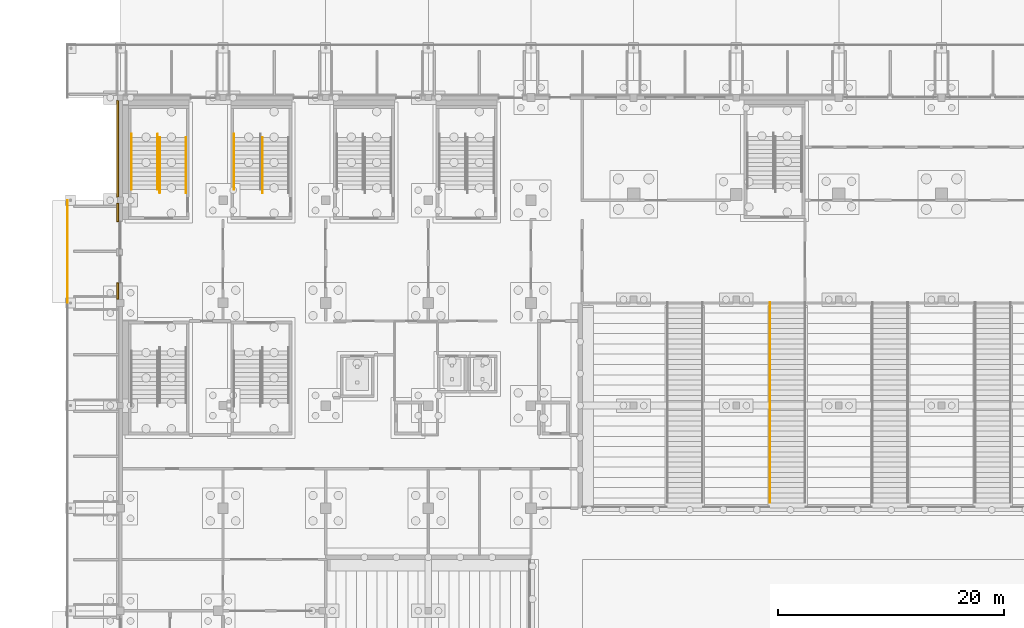
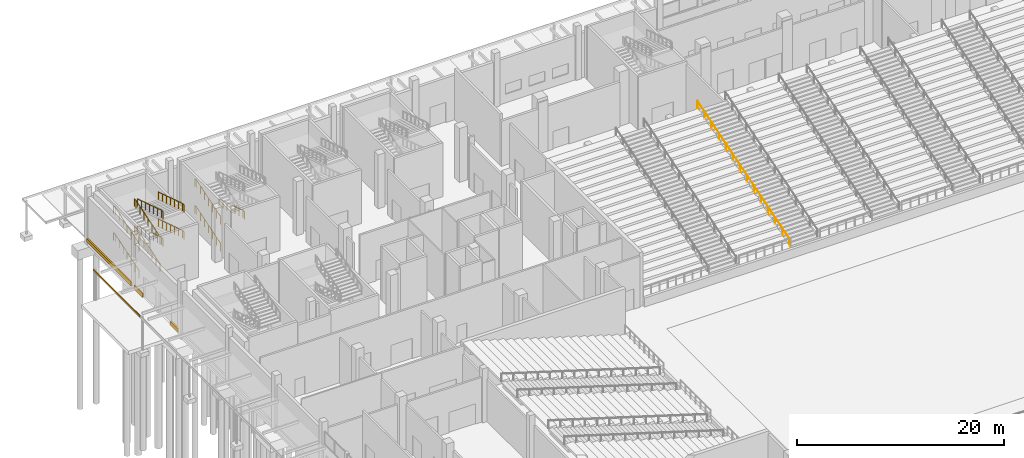
# One storey, part 110 of 129: 12 railings, 4 coverings.
"""IFC4 building model written with IfcOpenShell, lengths in metres."""

from ifc_helpers import new_model, si_unit, direction, frame, origin, origin_2d, place, context, subcontext, project, spatial, rectangle, circle, extrude, material, layer, layer_set, type_object, element, save


model = new_model("IFC4")

# Units and contexts
model_context = context("Model", 3, precision=1e-05, world=origin(), true_north=direction((0.0, 1.0)))
body_context = subcontext(model_context, "Body", "Model", "MODEL_VIEW")
ifc_project = project(units=[si_unit("LENGTHUNIT", "METRE"), si_unit("AREAUNIT", "SQUARE_METRE"), si_unit("VOLUMEUNIT", "CUBIC_METRE"), si_unit("PLANEANGLEUNIT", "RADIAN"), si_unit("MASSUNIT", "GRAM", prefix="KILO")], contexts=[model_context])

# Site, building, storey
site_placement = place(None, origin())
site = spatial("IfcSite", under=ifc_project, at=site_placement, CompositionType="ELEMENT")
building_placement = place(site_placement, origin())
building = spatial("IfcBuilding", under=site, at=building_placement, Name="Shirokan Park Arena", CompositionType="ELEMENT")
storey_placement = place(building_placement, origin())
storey = spatial("IfcBuildingStorey", under=building, at=storey_placement, Name="L00", CompositionType="ELEMENT", Elevation=0.0)

# Railing
ifc_material_1 = material(Name="Stainless steel", Category="steel")
railing_type_1 = type_object("IfcRailingType", Name="Aisle handrail 900", PredefinedType="HANDRAIL", material=ifc_material_1)
railing_1_placement = place(storey_placement, frame((57.590087890625, 73.304931640625, 0.909912109375)))
element("IfcRailing", 1, at=railing_1_placement, inside=storey, type_object=railing_type_1, Name="Handrail vomitory stair N2 lower", PredefinedType="HANDRAIL", context=body_context, shape_type="SweptSolid", body=[
    extrude(circle(Radius=0.02490234375, at=origin_2d()), frame((0.0, 0.0, 0.89013671875), z_axis=(0.0, 0.955745737905, 0.294193957241), x_axis=(-1.0, 0.0, 0.0)), (0.0, 0.0, 1.0), 1.42822265625),
    extrude(circle(Radius=0.02490234375, at=origin_2d()), frame((0.0, 1.364990234375, 1.310546875), z_axis=(0.0, 0.95579379257, 0.294037797035), x_axis=(-1.0, 0.0, 0.0)), (0.0, 0.0, 1.0), 1.42822265625),
    extrude(circle(Radius=0.02490234375, at=origin_2d()), frame((0.0, 2.72998046875, 1.73046875), z_axis=(0.0, 0.95579379257, 0.294037797035), x_axis=(-1.0, 0.0, 0.0)), (0.0, 0.0, 1.0), 1.42822265625),
    extrude(circle(Radius=0.02490234375, at=origin_2d()), frame((0.0, 4.094970703125, 2.150390625), z_axis=(0.0, 0.955745737905, 0.294193957241), x_axis=(-1.0, 0.0, 0.0)), (0.0, 0.0, 1.0), 1.42822265625),
    extrude(circle(Radius=0.02490234375, at=origin_2d()), frame((0.0, 5.4599609375, 2.5703125), z_axis=(0.0, 0.95579379257, 0.294037797035), x_axis=(-1.0, 0.0, 0.0)), (0.0, 0.0, 1.0), 1.42822265625),
    extrude(circle(Radius=0.02490234375, at=origin_2d()), frame((0.0, 6.824951171875, 2.990234375), z_axis=(0.0, 0.955808569173, 0.293989760189), x_axis=(-1.0, 0.0, 0.0)), (0.0, 0.0, 1.0), 1.428466796875),
    extrude(circle(Radius=0.02490234375, at=origin_2d()), frame((0.0, 8.190185546875, 3.41015625), z_axis=(0.0, 0.955745737905, 0.294193957241), x_axis=(-1.0, 0.0, 0.0)), (0.0, 0.0, 1.0), 1.42822265625),
    extrude(circle(Radius=0.02490234375, at=origin_2d()), frame((0.0, 9.55517578125, 3.83056640625), z_axis=(0.0, 0.95579379257, 0.294037797035), x_axis=(-1.0, 0.0, 0.0)), (0.0, 0.0, 1.0), 1.42822265625),
    extrude(circle(Radius=0.02490234375, at=origin_2d()), frame((0.0, 10.920166015625, 4.25048828125), z_axis=(0.0, 0.95579379257, 0.294037797035), x_axis=(-1.0, 0.0, 0.0)), (0.0, 0.0, 1.0), 1.42822265625),
    extrude(circle(Radius=0.02490234375, at=origin_2d()), frame((0.0, 12.28515625, 4.67041015625), z_axis=(0.0, 0.955745737905, 0.294193957241), x_axis=(-1.0, 0.0, 0.0)), (0.0, 0.0, 1.0), 1.42822265625),
    extrude(circle(Radius=0.02490234375, at=origin_2d()), frame((0.0, 13.650146484375, 5.09033203125), z_axis=(0.0, 0.95579379257, 0.294037797035), x_axis=(-1.0, 0.0, 0.0)), (0.0, 0.0, 1.0), 1.42822265625),
    extrude(circle(Radius=0.02490234375, at=origin_2d()), frame((0.0, 15.01513671875, 5.51025390625), z_axis=(0.0, 0.95579379257, 0.294037797035), x_axis=(-1.0, 0.0, 0.0)), (0.0, 0.0, 1.0), 1.42822265625),
    extrude(circle(Radius=0.02490234375, at=origin_2d()), frame((0.0, 16.380126953125, 5.93017578125), z_axis=(0.0, 0.955745737905, 0.294193957241), x_axis=(-1.0, 0.0, 0.0)), (0.0, 0.0, 1.0), 1.42822265625),
    extrude(circle(Radius=0.02490234375, at=origin_2d()), origin(), (0.0, 0.0, 1.0), 0.865234375),
    extrude(circle(Radius=0.02490234375, at=origin_2d()), frame((0.0, 1.364990234375, 0.420166015625)), (0.0, 0.0, 1.0), 0.865234375),
    extrude(circle(Radius=0.02490234375, at=origin_2d()), frame((0.0, 2.72998046875, 0.840087890625)), (0.0, 0.0, 1.0), 0.865234375),
    extrude(circle(Radius=0.02490234375, at=origin_2d()), frame((0.0, 4.094970703125, 1.260009765625)), (0.0, 0.0, 1.0), 0.865234375),
    extrude(circle(Radius=0.02490234375, at=origin_2d()), frame((0.0, 5.4599609375, 1.68017578125)), (0.0, 0.0, 1.0), 0.865234375),
    extrude(circle(Radius=0.02490234375, at=origin_2d()), frame((0.0, 6.824951171875, 2.10009765625)), (0.0, 0.0, 1.0), 0.865234375),
    extrude(circle(Radius=0.02490234375, at=origin_2d()), frame((0.0, 8.190185546875, 2.52001953125)), (0.0, 0.0, 1.0), 0.865234375),
    extrude(circle(Radius=0.02490234375, at=origin_2d()), frame((0.0, 9.55517578125, 2.940185546875)), (0.0, 0.0, 1.0), 0.865234375),
    extrude(circle(Radius=0.02490234375, at=origin_2d()), frame((0.0, 10.920166015625, 3.360107421875)), (0.0, 0.0, 1.0), 0.865234375),
    extrude(circle(Radius=0.02490234375, at=origin_2d()), frame((0.0, 12.28515625, 3.780029296875)), (0.0, 0.0, 1.0), 0.865234375),
    extrude(circle(Radius=0.02490234375, at=origin_2d()), frame((0.0, 13.650146484375, 4.2001953125)), (0.0, 0.0, 1.0), 0.865234375),
    extrude(circle(Radius=0.02490234375, at=origin_2d()), frame((0.0, 15.01513671875, 4.6201171875)), (0.0, 0.0, 1.0), 0.865234375),
    extrude(circle(Radius=0.02490234375, at=origin_2d()), frame((0.0, 16.380126953125, 5.0400390625)), (0.0, 0.0, 1.0), 0.865234375),
    extrude(circle(Radius=0.02490234375, at=origin_2d()), frame((0.0, 17.7451171875, 5.460205078125)), (0.0, 0.0, 1.0), 0.865234375),
])

# Covering
ifc_material_2 = material(Name="Timber fascia (cedar)", Category="wood")
ifc_layer_1 = layer(ifc_material_2, 0.050048828125)
ifc_layer_set_1 = layer_set([ifc_layer_1], Name="Timber fascia (cedar) 50 mm")
covering_type_1 = type_object("IfcCoveringType", Name="Canopy fascia 50x250", PredefinedType="CLADDING", material=ifc_layer_set_1)
covering_1_placement = place(storey_placement, frame((-4.675048828125, 95.550048828125, 3.5), z_axis=(0.0, 0.0, 1.0), x_axis=(0.0, -1.0, 0.0)))
element("IfcCovering", 2, at=covering_1_placement, inside=storey, type_object=covering_type_1, Name="Canopy fascia west bay 2", PredefinedType="CLADDING", context=body_context, shape_type="SweptSolid", body=[
    extrude(rectangle(XDim=9.10009765625, YDim=0.050048828125, at=origin_2d()), origin(), (0.0, 0.0, 1.0), 0.25),
])

# Railings
railing_type_2 = type_object("IfcRailingType", Name="Stair handrail 900", PredefinedType="HANDRAIL", material=ifc_material_1)
railing_2_placement = place(storey_placement, frame((0.989990234375, 101.050048828125, 0.12255859375)))
element("IfcRailing", 3, at=railing_2_placement, inside=storey, type_object=railing_type_2, Name="Handrail Exit Stair 4.A L00 to L01", PredefinedType="HANDRAIL", context=body_context, shape_type="SweptSolid", body=[
    extrude(circle(Radius=0.02392578125, at=origin_2d()), frame((0.0, 0.0, 0.8759765625), z_axis=(0.0, 0.952929747917, 0.303191186441), x_axis=(-1.0, 0.0, 0.0)), (0.0, 0.0, 1.0), 1.6162109375),
    extrude(circle(Radius=0.02392578125, at=origin_2d()), frame((0.0, 1.5400390625, 1.36572265625), z_axis=(0.0, 0.952915858112, 0.303234838629), x_axis=(-1.0, 0.0, 0.0)), (0.0, 0.0, 1.0), 1.615966796875),
    extrude(circle(Radius=0.02392578125, at=origin_2d()), frame((0.0, 3.079833984375, 1.85595703125), z_axis=(0.0, 0.952929747917, 0.303191186441), x_axis=(-1.0, 0.0, 0.0)), (0.0, 0.0, 1.0), 1.6162109375),
    extrude(circle(Radius=0.02392578125, at=origin_2d()), frame((0.0, 4.619873046875, 2.345703125), z_axis=(0.0, 1.0, 0.0), x_axis=(-1.0, 0.0, 0.0)), (0.0, 0.0, 1.0), 0.300048828125),
    extrude(circle(Radius=0.02099609375, at=origin_2d()), origin(), (0.0, 0.0, 1.0), 0.851806640625),
    extrude(circle(Radius=0.02099609375, at=origin_2d()), frame((0.0, 0.77001953125, 0.2451171875)), (0.0, 0.0, 1.0), 0.851806640625),
    extrude(circle(Radius=0.02099609375, at=origin_2d()), frame((0.0, 1.5400390625, 0.489990234375)), (0.0, 0.0, 1.0), 0.851806640625),
    extrude(circle(Radius=0.02099609375, at=origin_2d()), frame((0.0, 2.31005859375, 0.73486328125)), (0.0, 0.0, 1.0), 0.851806640625),
    extrude(circle(Radius=0.02099609375, at=origin_2d()), frame((0.0, 3.079833984375, 0.97998046875)), (0.0, 0.0, 1.0), 0.851806640625),
    extrude(circle(Radius=0.02099609375, at=origin_2d()), frame((0.0, 3.849853515625, 1.22509765625)), (0.0, 0.0, 1.0), 0.851806640625),
    extrude(circle(Radius=0.02099609375, at=origin_2d()), frame((0.0, 4.619873046875, 1.469970703125)), (0.0, 0.0, 1.0), 0.851806640625),
    extrude(circle(Radius=0.02099609375, at=origin_2d()), frame((0.0, 4.919921875, 1.469970703125)), (0.0, 0.0, 1.0), 0.851806640625),
])
railing_3_placement = place(storey_placement, frame((3.31005859375, 101.050048828125, 0.12255859375)))
element("IfcRailing", 4, at=railing_3_placement, inside=storey, type_object=railing_type_2, Name="Handrail Exit Stair 4.A L00 to L01", PredefinedType="HANDRAIL", context=body_context, shape_type="SweptSolid", body=[
    extrude(circle(Radius=0.02392578125, at=origin_2d()), frame((0.0, 0.0, 0.8759765625), z_axis=(0.0, 0.952929747917, 0.303191186441), x_axis=(-1.0, 0.0, 0.0)), (0.0, 0.0, 1.0), 1.6162109375),
    extrude(circle(Radius=0.02392578125, at=origin_2d()), frame((0.0, 1.5400390625, 1.36572265625), z_axis=(0.0, 0.952915858112, 0.303234838629), x_axis=(-1.0, 0.0, 0.0)), (0.0, 0.0, 1.0), 1.615966796875),
    extrude(circle(Radius=0.02392578125, at=origin_2d()), frame((0.0, 3.079833984375, 1.85595703125), z_axis=(0.0, 0.952929747917, 0.303191186441), x_axis=(-1.0, 0.0, 0.0)), (0.0, 0.0, 1.0), 1.6162109375),
    extrude(circle(Radius=0.02392578125, at=origin_2d()), frame((0.0, 4.619873046875, 2.345703125), z_axis=(0.0, 1.0, 0.0), x_axis=(-1.0, 0.0, 0.0)), (0.0, 0.0, 1.0), 0.300048828125),
    extrude(circle(Radius=0.02099609375, at=origin_2d()), origin(), (0.0, 0.0, 1.0), 0.851806640625),
    extrude(circle(Radius=0.02099609375, at=origin_2d()), frame((0.0, 0.77001953125, 0.2451171875)), (0.0, 0.0, 1.0), 0.851806640625),
    extrude(circle(Radius=0.02099609375, at=origin_2d()), frame((0.0, 1.5400390625, 0.489990234375)), (0.0, 0.0, 1.0), 0.851806640625),
    extrude(circle(Radius=0.02099609375, at=origin_2d()), frame((0.0, 2.31005859375, 0.73486328125)), (0.0, 0.0, 1.0), 0.851806640625),
    extrude(circle(Radius=0.02099609375, at=origin_2d()), frame((0.0, 3.079833984375, 0.97998046875)), (0.0, 0.0, 1.0), 0.851806640625),
    extrude(circle(Radius=0.02099609375, at=origin_2d()), frame((0.0, 3.849853515625, 1.22509765625)), (0.0, 0.0, 1.0), 0.851806640625),
    extrude(circle(Radius=0.02099609375, at=origin_2d()), frame((0.0, 4.619873046875, 1.469970703125)), (0.0, 0.0, 1.0), 0.851806640625),
    extrude(circle(Radius=0.02099609375, at=origin_2d()), frame((0.0, 4.919921875, 1.469970703125)), (0.0, 0.0, 1.0), 0.851806640625),
])
railing_4_placement = place(storey_placement, frame((3.489990234375, 105.669921875, 1.715087890625)))
element("IfcRailing", 5, at=railing_4_placement, inside=storey, type_object=railing_type_2, Name="Handrail Exit Stair 4.A L00 to L01", PredefinedType="HANDRAIL", context=body_context, shape_type="SweptSolid", body=[
    extrude(circle(Radius=0.02392578125, at=origin_2d()), frame((0.0, 0.0, 0.8759765625), z_axis=(0.0, -0.952929747917, 0.303191186441), x_axis=(1.0, 0.0, 0.0)), (0.0, 0.0, 1.0), 1.6162109375),
    extrude(circle(Radius=0.02392578125, at=origin_2d()), frame((0.0, -1.5400390625, 1.36572265625), z_axis=(0.0, -0.952915858112, 0.303234838629), x_axis=(1.0, 0.0, 0.0)), (0.0, 0.0, 1.0), 1.615966796875),
    extrude(circle(Radius=0.02392578125, at=origin_2d()), frame((0.0, -3.079833984375, 1.85595703125), z_axis=(0.0, -0.952929747917, 0.303191186441), x_axis=(1.0, 0.0, 0.0)), (0.0, 0.0, 1.0), 1.6162109375),
    extrude(circle(Radius=0.02392578125, at=origin_2d()), frame((0.0, -4.619873046875, 2.345703125), z_axis=(0.0, -1.0, 0.0), x_axis=(1.0, 0.0, 0.0)), (0.0, 0.0, 1.0), 0.300048828125),
    extrude(circle(Radius=0.02099609375, at=origin_2d()), origin(), (0.0, 0.0, 1.0), 0.851806640625),
    extrude(circle(Radius=0.02099609375, at=origin_2d()), frame((0.0, -0.77001953125, 0.2451171875)), (0.0, 0.0, 1.0), 0.851806640625),
    extrude(circle(Radius=0.02099609375, at=origin_2d()), frame((0.0, -1.5400390625, 0.489990234375)), (0.0, 0.0, 1.0), 0.851806640625),
    extrude(circle(Radius=0.02099609375, at=origin_2d()), frame((0.0, -2.31005859375, 0.73486328125)), (0.0, 0.0, 1.0), 0.851806640625),
    extrude(circle(Radius=0.02099609375, at=origin_2d()), frame((0.0, -3.079833984375, 0.97998046875)), (0.0, 0.0, 1.0), 0.851806640625),
    extrude(circle(Radius=0.02099609375, at=origin_2d()), frame((0.0, -3.849853515625, 1.22509765625)), (0.0, 0.0, 1.0), 0.851806640625),
    extrude(circle(Radius=0.02099609375, at=origin_2d()), frame((0.0, -4.619873046875, 1.469970703125)), (0.0, 0.0, 1.0), 0.851806640625),
    extrude(circle(Radius=0.02099609375, at=origin_2d()), frame((0.0, -4.919921875, 1.469970703125)), (0.0, 0.0, 1.0), 0.851806640625),
])
railing_5_placement = place(storey_placement, frame((5.81005859375, 105.669921875, 1.715087890625)))
element("IfcRailing", 6, at=railing_5_placement, inside=storey, type_object=railing_type_2, Name="Handrail Exit Stair 4.A L00 to L01", PredefinedType="HANDRAIL", context=body_context, shape_type="SweptSolid", body=[
    extrude(circle(Radius=0.02392578125, at=origin_2d()), frame((0.0, 0.0, 0.8759765625), z_axis=(0.0, -0.952929747917, 0.303191186441), x_axis=(1.0, 0.0, 0.0)), (0.0, 0.0, 1.0), 1.6162109375),
    extrude(circle(Radius=0.02392578125, at=origin_2d()), frame((0.0, -1.5400390625, 1.36572265625), z_axis=(0.0, -0.952915858112, 0.303234838629), x_axis=(1.0, 0.0, 0.0)), (0.0, 0.0, 1.0), 1.615966796875),
    extrude(circle(Radius=0.02392578125, at=origin_2d()), frame((0.0, -3.079833984375, 1.85595703125), z_axis=(0.0, -0.952929747917, 0.303191186441), x_axis=(1.0, 0.0, 0.0)), (0.0, 0.0, 1.0), 1.6162109375),
    extrude(circle(Radius=0.02392578125, at=origin_2d()), frame((0.0, -4.619873046875, 2.345703125), z_axis=(0.0, -1.0, 0.0), x_axis=(1.0, 0.0, 0.0)), (0.0, 0.0, 1.0), 0.300048828125),
    extrude(circle(Radius=0.02099609375, at=origin_2d()), origin(), (0.0, 0.0, 1.0), 0.851806640625),
    extrude(circle(Radius=0.02099609375, at=origin_2d()), frame((0.0, -0.77001953125, 0.2451171875)), (0.0, 0.0, 1.0), 0.851806640625),
    extrude(circle(Radius=0.02099609375, at=origin_2d()), frame((0.0, -1.5400390625, 0.489990234375)), (0.0, 0.0, 1.0), 0.851806640625),
    extrude(circle(Radius=0.02099609375, at=origin_2d()), frame((0.0, -2.31005859375, 0.73486328125)), (0.0, 0.0, 1.0), 0.851806640625),
    extrude(circle(Radius=0.02099609375, at=origin_2d()), frame((0.0, -3.079833984375, 0.97998046875)), (0.0, 0.0, 1.0), 0.851806640625),
    extrude(circle(Radius=0.02099609375, at=origin_2d()), frame((0.0, -3.849853515625, 1.22509765625)), (0.0, 0.0, 1.0), 0.851806640625),
    extrude(circle(Radius=0.02099609375, at=origin_2d()), frame((0.0, -4.619873046875, 1.469970703125)), (0.0, 0.0, 1.0), 0.851806640625),
    extrude(circle(Radius=0.02099609375, at=origin_2d()), frame((0.0, -4.919921875, 1.469970703125)), (0.0, 0.0, 1.0), 0.851806640625),
])
railing_6_placement = place(storey_placement, frame((0.989990234375, 101.050048828125, 3.3076171875)))
element("IfcRailing", 7, at=railing_6_placement, inside=storey, type_object=railing_type_2, Name="Handrail Exit Stair 4.A L00 to L01", PredefinedType="HANDRAIL", context=body_context, shape_type="SweptSolid", body=[
    extrude(circle(Radius=0.02392578125, at=origin_2d()), frame((0.0, 0.0, 0.8759765625), z_axis=(0.0, 0.952929747917, 0.303191186441), x_axis=(-1.0, 0.0, 0.0)), (0.0, 0.0, 1.0), 1.6162109375),
    extrude(circle(Radius=0.02392578125, at=origin_2d()), frame((0.0, 1.5400390625, 1.36572265625), z_axis=(0.0, 0.952915858112, 0.303234838629), x_axis=(-1.0, 0.0, 0.0)), (0.0, 0.0, 1.0), 1.615966796875),
    extrude(circle(Radius=0.02392578125, at=origin_2d()), frame((0.0, 3.079833984375, 1.85595703125), z_axis=(0.0, 0.952929747917, 0.303191186441), x_axis=(-1.0, 0.0, 0.0)), (0.0, 0.0, 1.0), 1.6162109375),
    extrude(circle(Radius=0.02392578125, at=origin_2d()), frame((0.0, 4.619873046875, 2.345703125), z_axis=(0.0, 1.0, 0.0), x_axis=(-1.0, 0.0, 0.0)), (0.0, 0.0, 1.0), 0.300048828125),
    extrude(circle(Radius=0.02099609375, at=origin_2d()), origin(), (0.0, 0.0, 1.0), 0.851806640625),
    extrude(circle(Radius=0.02099609375, at=origin_2d()), frame((0.0, 0.77001953125, 0.2451171875)), (0.0, 0.0, 1.0), 0.851806640625),
    extrude(circle(Radius=0.02099609375, at=origin_2d()), frame((0.0, 1.5400390625, 0.489990234375)), (0.0, 0.0, 1.0), 0.851806640625),
    extrude(circle(Radius=0.02099609375, at=origin_2d()), frame((0.0, 2.31005859375, 0.73486328125)), (0.0, 0.0, 1.0), 0.851806640625),
    extrude(circle(Radius=0.02099609375, at=origin_2d()), frame((0.0, 3.079833984375, 0.97998046875)), (0.0, 0.0, 1.0), 0.851806640625),
    extrude(circle(Radius=0.02099609375, at=origin_2d()), frame((0.0, 3.849853515625, 1.22509765625)), (0.0, 0.0, 1.0), 0.851806640625),
    extrude(circle(Radius=0.02099609375, at=origin_2d()), frame((0.0, 4.619873046875, 1.469970703125)), (0.0, 0.0, 1.0), 0.851806640625),
    extrude(circle(Radius=0.02099609375, at=origin_2d()), frame((0.0, 4.919921875, 1.469970703125)), (0.0, 0.0, 1.0), 0.851806640625),
])
railing_7_placement = place(storey_placement, frame((3.31005859375, 101.050048828125, 3.3076171875)))
element("IfcRailing", 8, at=railing_7_placement, inside=storey, type_object=railing_type_2, Name="Handrail Exit Stair 4.A L00 to L01", PredefinedType="HANDRAIL", context=body_context, shape_type="SweptSolid", body=[
    extrude(circle(Radius=0.02392578125, at=origin_2d()), frame((0.0, 0.0, 0.8759765625), z_axis=(0.0, 0.952929747917, 0.303191186441), x_axis=(-1.0, 0.0, 0.0)), (0.0, 0.0, 1.0), 1.6162109375),
    extrude(circle(Radius=0.02392578125, at=origin_2d()), frame((0.0, 1.5400390625, 1.36572265625), z_axis=(0.0, 0.952915858112, 0.303234838629), x_axis=(-1.0, 0.0, 0.0)), (0.0, 0.0, 1.0), 1.615966796875),
    extrude(circle(Radius=0.02392578125, at=origin_2d()), frame((0.0, 3.079833984375, 1.85595703125), z_axis=(0.0, 0.952929747917, 0.303191186441), x_axis=(-1.0, 0.0, 0.0)), (0.0, 0.0, 1.0), 1.6162109375),
    extrude(circle(Radius=0.02392578125, at=origin_2d()), frame((0.0, 4.619873046875, 2.345703125), z_axis=(0.0, 1.0, 0.0), x_axis=(-1.0, 0.0, 0.0)), (0.0, 0.0, 1.0), 0.300048828125),
    extrude(circle(Radius=0.02099609375, at=origin_2d()), origin(), (0.0, 0.0, 1.0), 0.851806640625),
    extrude(circle(Radius=0.02099609375, at=origin_2d()), frame((0.0, 0.77001953125, 0.2451171875)), (0.0, 0.0, 1.0), 0.851806640625),
    extrude(circle(Radius=0.02099609375, at=origin_2d()), frame((0.0, 1.5400390625, 0.489990234375)), (0.0, 0.0, 1.0), 0.851806640625),
    extrude(circle(Radius=0.02099609375, at=origin_2d()), frame((0.0, 2.31005859375, 0.73486328125)), (0.0, 0.0, 1.0), 0.851806640625),
    extrude(circle(Radius=0.02099609375, at=origin_2d()), frame((0.0, 3.079833984375, 0.97998046875)), (0.0, 0.0, 1.0), 0.851806640625),
    extrude(circle(Radius=0.02099609375, at=origin_2d()), frame((0.0, 3.849853515625, 1.22509765625)), (0.0, 0.0, 1.0), 0.851806640625),
    extrude(circle(Radius=0.02099609375, at=origin_2d()), frame((0.0, 4.619873046875, 1.469970703125)), (0.0, 0.0, 1.0), 0.851806640625),
    extrude(circle(Radius=0.02099609375, at=origin_2d()), frame((0.0, 4.919921875, 1.469970703125)), (0.0, 0.0, 1.0), 0.851806640625),
])
railing_8_placement = place(storey_placement, frame((3.489990234375, 105.669921875, 4.89990234375)))
element("IfcRailing", 9, at=railing_8_placement, inside=storey, type_object=railing_type_2, Name="Handrail Exit Stair 4.A L00 to L01", PredefinedType="HANDRAIL", context=body_context, shape_type="SweptSolid", body=[
    extrude(circle(Radius=0.02392578125, at=origin_2d()), frame((0.0, 0.0, 0.8759765625), z_axis=(0.0, -0.952929747917, 0.303191186441), x_axis=(1.0, 0.0, 0.0)), (0.0, 0.0, 1.0), 1.6162109375),
    extrude(circle(Radius=0.02392578125, at=origin_2d()), frame((0.0, -1.5400390625, 1.36572265625), z_axis=(0.0, -0.952915858112, 0.303234838629), x_axis=(1.0, 0.0, 0.0)), (0.0, 0.0, 1.0), 1.615966796875),
    extrude(circle(Radius=0.02392578125, at=origin_2d()), frame((0.0, -3.079833984375, 1.85595703125), z_axis=(0.0, -0.952886093821, 0.303328357069), x_axis=(1.0, 0.0, 0.0)), (0.0, 0.0, 1.0), 1.6162109375),
    extrude(circle(Radius=0.02392578125, at=origin_2d()), frame((0.0, -4.619873046875, 2.34619140625), z_axis=(0.0, -1.0, 0.0), x_axis=(1.0, 0.0, 0.0)), (0.0, 0.0, 1.0), 0.300048828125),
    extrude(circle(Radius=0.02099609375, at=origin_2d()), origin(), (0.0, 0.0, 1.0), 0.851806640625),
    extrude(circle(Radius=0.02099609375, at=origin_2d()), frame((0.0, -0.77001953125, 0.2451171875)), (0.0, 0.0, 1.0), 0.851806640625),
    extrude(circle(Radius=0.02099609375, at=origin_2d()), frame((0.0, -1.5400390625, 0.489990234375)), (0.0, 0.0, 1.0), 0.851806640625),
    extrude(circle(Radius=0.02099609375, at=origin_2d()), frame((0.0, -2.31005859375, 0.73486328125)), (0.0, 0.0, 1.0), 0.851806640625),
    extrude(circle(Radius=0.02099609375, at=origin_2d()), frame((0.0, -3.079833984375, 0.97998046875)), (0.0, 0.0, 1.0), 0.851806640625),
    extrude(circle(Radius=0.02099609375, at=origin_2d()), frame((0.0, -3.849853515625, 1.22509765625)), (0.0, 0.0, 1.0), 0.851806640625),
    extrude(circle(Radius=0.02099609375, at=origin_2d()), frame((0.0, -4.619873046875, 1.47021484375)), (0.0, 0.0, 1.0), 0.851806640625),
    extrude(circle(Radius=0.02099609375, at=origin_2d()), frame((0.0, -4.919921875, 1.47021484375)), (0.0, 0.0, 1.0), 0.851806640625),
])
railing_9_placement = place(storey_placement, frame((5.81005859375, 105.669921875, 4.89990234375)))
element("IfcRailing", 10, at=railing_9_placement, inside=storey, type_object=railing_type_2, Name="Handrail Exit Stair 4.A L00 to L01", PredefinedType="HANDRAIL", context=body_context, shape_type="SweptSolid", body=[
    extrude(circle(Radius=0.02392578125, at=origin_2d()), frame((0.0, 0.0, 0.8759765625), z_axis=(0.0, -0.952929747917, 0.303191186441), x_axis=(1.0, 0.0, 0.0)), (0.0, 0.0, 1.0), 1.6162109375),
    extrude(circle(Radius=0.02392578125, at=origin_2d()), frame((0.0, -1.5400390625, 1.36572265625), z_axis=(0.0, -0.952915858112, 0.303234838629), x_axis=(1.0, 0.0, 0.0)), (0.0, 0.0, 1.0), 1.615966796875),
    extrude(circle(Radius=0.02392578125, at=origin_2d()), frame((0.0, -3.079833984375, 1.85595703125), z_axis=(0.0, -0.952886093821, 0.303328357069), x_axis=(1.0, 0.0, 0.0)), (0.0, 0.0, 1.0), 1.6162109375),
    extrude(circle(Radius=0.02392578125, at=origin_2d()), frame((0.0, -4.619873046875, 2.34619140625), z_axis=(0.0, -1.0, 0.0), x_axis=(1.0, 0.0, 0.0)), (0.0, 0.0, 1.0), 0.300048828125),
    extrude(circle(Radius=0.02099609375, at=origin_2d()), origin(), (0.0, 0.0, 1.0), 0.851806640625),
    extrude(circle(Radius=0.02099609375, at=origin_2d()), frame((0.0, -0.77001953125, 0.2451171875)), (0.0, 0.0, 1.0), 0.851806640625),
    extrude(circle(Radius=0.02099609375, at=origin_2d()), frame((0.0, -1.5400390625, 0.489990234375)), (0.0, 0.0, 1.0), 0.851806640625),
    extrude(circle(Radius=0.02099609375, at=origin_2d()), frame((0.0, -2.31005859375, 0.73486328125)), (0.0, 0.0, 1.0), 0.851806640625),
    extrude(circle(Radius=0.02099609375, at=origin_2d()), frame((0.0, -3.079833984375, 0.97998046875)), (0.0, 0.0, 1.0), 0.851806640625),
    extrude(circle(Radius=0.02099609375, at=origin_2d()), frame((0.0, -3.849853515625, 1.22509765625)), (0.0, 0.0, 1.0), 0.851806640625),
    extrude(circle(Radius=0.02099609375, at=origin_2d()), frame((0.0, -4.619873046875, 1.47021484375)), (0.0, 0.0, 1.0), 0.851806640625),
    extrude(circle(Radius=0.02099609375, at=origin_2d()), frame((0.0, -4.919921875, 1.47021484375)), (0.0, 0.0, 1.0), 0.851806640625),
])
railing_10_placement = place(storey_placement, frame((10.090087890625, 101.050048828125, 0.12255859375)))
element("IfcRailing", 11, at=railing_10_placement, inside=storey, type_object=railing_type_2, Name="Handrail Exit Stair 4.B L00 to L01", PredefinedType="HANDRAIL", context=body_context, shape_type="SweptSolid", body=[
    extrude(circle(Radius=0.02392578125, at=origin_2d()), frame((0.0, 0.0, 0.8759765625), z_axis=(0.0, 0.952929747917, 0.303191186441), x_axis=(-1.0, 0.0, 0.0)), (0.0, 0.0, 1.0), 1.6162109375),
    extrude(circle(Radius=0.02392578125, at=origin_2d()), frame((0.0, 1.5400390625, 1.36572265625), z_axis=(0.0, 0.952915858112, 0.303234838629), x_axis=(-1.0, 0.0, 0.0)), (0.0, 0.0, 1.0), 1.615966796875),
    extrude(circle(Radius=0.02392578125, at=origin_2d()), frame((0.0, 3.079833984375, 1.85595703125), z_axis=(0.0, 0.952929747917, 0.303191186441), x_axis=(-1.0, 0.0, 0.0)), (0.0, 0.0, 1.0), 1.6162109375),
    extrude(circle(Radius=0.02392578125, at=origin_2d()), frame((0.0, 4.619873046875, 2.345703125), z_axis=(0.0, 1.0, 0.0), x_axis=(-1.0, 0.0, 0.0)), (0.0, 0.0, 1.0), 0.300048828125),
    extrude(circle(Radius=0.02099609375, at=origin_2d()), origin(), (0.0, 0.0, 1.0), 0.851806640625),
    extrude(circle(Radius=0.02099609375, at=origin_2d()), frame((0.0, 0.77001953125, 0.2451171875)), (0.0, 0.0, 1.0), 0.851806640625),
    extrude(circle(Radius=0.02099609375, at=origin_2d()), frame((0.0, 1.5400390625, 0.489990234375)), (0.0, 0.0, 1.0), 0.851806640625),
    extrude(circle(Radius=0.02099609375, at=origin_2d()), frame((0.0, 2.31005859375, 0.73486328125)), (0.0, 0.0, 1.0), 0.851806640625),
    extrude(circle(Radius=0.02099609375, at=origin_2d()), frame((0.0, 3.079833984375, 0.97998046875)), (0.0, 0.0, 1.0), 0.851806640625),
    extrude(circle(Radius=0.02099609375, at=origin_2d()), frame((0.0, 3.849853515625, 1.22509765625)), (0.0, 0.0, 1.0), 0.851806640625),
    extrude(circle(Radius=0.02099609375, at=origin_2d()), frame((0.0, 4.619873046875, 1.469970703125)), (0.0, 0.0, 1.0), 0.851806640625),
    extrude(circle(Radius=0.02099609375, at=origin_2d()), frame((0.0, 4.919921875, 1.469970703125)), (0.0, 0.0, 1.0), 0.851806640625),
])
railing_11_placement = place(storey_placement, frame((12.590087890625, 105.669921875, 1.715087890625)))
element("IfcRailing", 12, at=railing_11_placement, inside=storey, type_object=railing_type_2, Name="Handrail Exit Stair 4.B L00 to L01", PredefinedType="HANDRAIL", context=body_context, shape_type="SweptSolid", body=[
    extrude(circle(Radius=0.02392578125, at=origin_2d()), frame((0.0, 0.0, 0.8759765625), z_axis=(0.0, -0.952929747917, 0.303191186441), x_axis=(1.0, 0.0, 0.0)), (0.0, 0.0, 1.0), 1.6162109375),
    extrude(circle(Radius=0.02392578125, at=origin_2d()), frame((0.0, -1.5400390625, 1.36572265625), z_axis=(0.0, -0.952915858112, 0.303234838629), x_axis=(1.0, 0.0, 0.0)), (0.0, 0.0, 1.0), 1.615966796875),
    extrude(circle(Radius=0.02392578125, at=origin_2d()), frame((0.0, -3.079833984375, 1.85595703125), z_axis=(0.0, -0.952929747917, 0.303191186441), x_axis=(1.0, 0.0, 0.0)), (0.0, 0.0, 1.0), 1.6162109375),
    extrude(circle(Radius=0.02392578125, at=origin_2d()), frame((0.0, -4.619873046875, 2.345703125), z_axis=(0.0, -1.0, 0.0), x_axis=(1.0, 0.0, 0.0)), (0.0, 0.0, 1.0), 0.300048828125),
    extrude(circle(Radius=0.02099609375, at=origin_2d()), origin(), (0.0, 0.0, 1.0), 0.851806640625),
    extrude(circle(Radius=0.02099609375, at=origin_2d()), frame((0.0, -0.77001953125, 0.2451171875)), (0.0, 0.0, 1.0), 0.851806640625),
    extrude(circle(Radius=0.02099609375, at=origin_2d()), frame((0.0, -1.5400390625, 0.489990234375)), (0.0, 0.0, 1.0), 0.851806640625),
    extrude(circle(Radius=0.02099609375, at=origin_2d()), frame((0.0, -2.31005859375, 0.73486328125)), (0.0, 0.0, 1.0), 0.851806640625),
    extrude(circle(Radius=0.02099609375, at=origin_2d()), frame((0.0, -3.079833984375, 0.97998046875)), (0.0, 0.0, 1.0), 0.851806640625),
    extrude(circle(Radius=0.02099609375, at=origin_2d()), frame((0.0, -3.849853515625, 1.22509765625)), (0.0, 0.0, 1.0), 0.851806640625),
    extrude(circle(Radius=0.02099609375, at=origin_2d()), frame((0.0, -4.619873046875, 1.469970703125)), (0.0, 0.0, 1.0), 0.851806640625),
    extrude(circle(Radius=0.02099609375, at=origin_2d()), frame((0.0, -4.919921875, 1.469970703125)), (0.0, 0.0, 1.0), 0.851806640625),
])
railing_12_placement = place(storey_placement, frame((10.090087890625, 101.050048828125, 3.3076171875)))
element("IfcRailing", 13, at=railing_12_placement, inside=storey, type_object=railing_type_2, Name="Handrail Exit Stair 4.B L00 to L01", PredefinedType="HANDRAIL", context=body_context, shape_type="SweptSolid", body=[
    extrude(circle(Radius=0.02392578125, at=origin_2d()), frame((0.0, 0.0, 0.8759765625), z_axis=(0.0, 0.952929747917, 0.303191186441), x_axis=(-1.0, 0.0, 0.0)), (0.0, 0.0, 1.0), 1.6162109375),
    extrude(circle(Radius=0.02392578125, at=origin_2d()), frame((0.0, 1.5400390625, 1.36572265625), z_axis=(0.0, 0.952915858112, 0.303234838629), x_axis=(-1.0, 0.0, 0.0)), (0.0, 0.0, 1.0), 1.615966796875),
    extrude(circle(Radius=0.02392578125, at=origin_2d()), frame((0.0, 3.079833984375, 1.85595703125), z_axis=(0.0, 0.952929747917, 0.303191186441), x_axis=(-1.0, 0.0, 0.0)), (0.0, 0.0, 1.0), 1.6162109375),
    extrude(circle(Radius=0.02392578125, at=origin_2d()), frame((0.0, 4.619873046875, 2.345703125), z_axis=(0.0, 1.0, 0.0), x_axis=(-1.0, 0.0, 0.0)), (0.0, 0.0, 1.0), 0.300048828125),
    extrude(circle(Radius=0.02099609375, at=origin_2d()), origin(), (0.0, 0.0, 1.0), 0.851806640625),
    extrude(circle(Radius=0.02099609375, at=origin_2d()), frame((0.0, 0.77001953125, 0.2451171875)), (0.0, 0.0, 1.0), 0.851806640625),
    extrude(circle(Radius=0.02099609375, at=origin_2d()), frame((0.0, 1.5400390625, 0.489990234375)), (0.0, 0.0, 1.0), 0.851806640625),
    extrude(circle(Radius=0.02099609375, at=origin_2d()), frame((0.0, 2.31005859375, 0.73486328125)), (0.0, 0.0, 1.0), 0.851806640625),
    extrude(circle(Radius=0.02099609375, at=origin_2d()), frame((0.0, 3.079833984375, 0.97998046875)), (0.0, 0.0, 1.0), 0.851806640625),
    extrude(circle(Radius=0.02099609375, at=origin_2d()), frame((0.0, 3.849853515625, 1.22509765625)), (0.0, 0.0, 1.0), 0.851806640625),
    extrude(circle(Radius=0.02099609375, at=origin_2d()), frame((0.0, 4.619873046875, 1.469970703125)), (0.0, 0.0, 1.0), 0.851806640625),
    extrude(circle(Radius=0.02099609375, at=origin_2d()), frame((0.0, 4.919921875, 1.469970703125)), (0.0, 0.0, 1.0), 0.851806640625),
])

# Coverings
ifc_material_3 = material(Name="Natural stone", Category="masonry")
ifc_layer_2 = layer(ifc_material_3, 0.14990234375)
ifc_layer_set_2 = layer_set([ifc_layer_2], Name="Natural stone 150 mm")
covering_type_2 = type_object("IfcCoveringType", Name="Stone plinth 150x450", PredefinedType="CLADDING", material=ifc_layer_set_2)
covering_2_placement = place(storey_placement, frame((-0.22509765625, 104.66259765625, 0.0), z_axis=(0.0, 0.0, 1.0), x_axis=(0.0, -1.0, 0.0)))
element("IfcCovering", 14, at=covering_2_placement, inside=storey, type_object=covering_type_2, Name="Stone plinth west bay 1", PredefinedType="CLADDING", context=body_context, shape_type="SweptSolid", body=[
    extrude(rectangle(XDim=8.574951171875, YDim=0.14990234375, at=origin_2d()), origin(), (0.0, 0.0, 1.0), 0.449951171875),
])
covering_3_placement = place(storey_placement, frame((-0.22509765625, 99.012451171875, 0.0), z_axis=(0.0, 0.0, 1.0), x_axis=(0.0, -1.0, 0.0)))
element("IfcCovering", 15, at=covering_3_placement, inside=storey, type_object=covering_type_2, Name="Stone plinth west bay 2", PredefinedType="CLADDING", context=body_context, shape_type="SweptSolid", body=[
    extrude(rectangle(XDim=1.625, YDim=0.14990234375, at=origin_2d()), origin(), (0.0, 0.0, 1.0), 0.449951171875),
])
covering_4_placement = place(storey_placement, frame((-0.22509765625, 92.0625, 0.0), z_axis=(0.0, 0.0, 1.0), x_axis=(0.0, -1.0, 0.0)))
element("IfcCovering", 16, at=covering_4_placement, inside=storey, type_object=covering_type_2, Name="Stone plinth west bay 2", PredefinedType="CLADDING", context=body_context, shape_type="SweptSolid", body=[
    extrude(rectangle(XDim=1.47509765625, YDim=0.14990234375, at=origin_2d()), origin(), (0.0, 0.0, 1.0), 0.449951171875),
])

save(model, "model.ifc")
